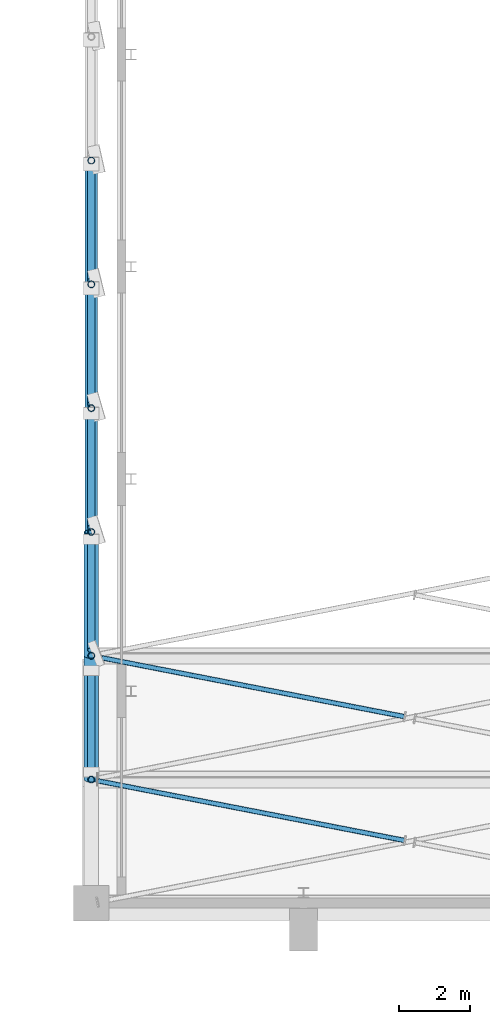
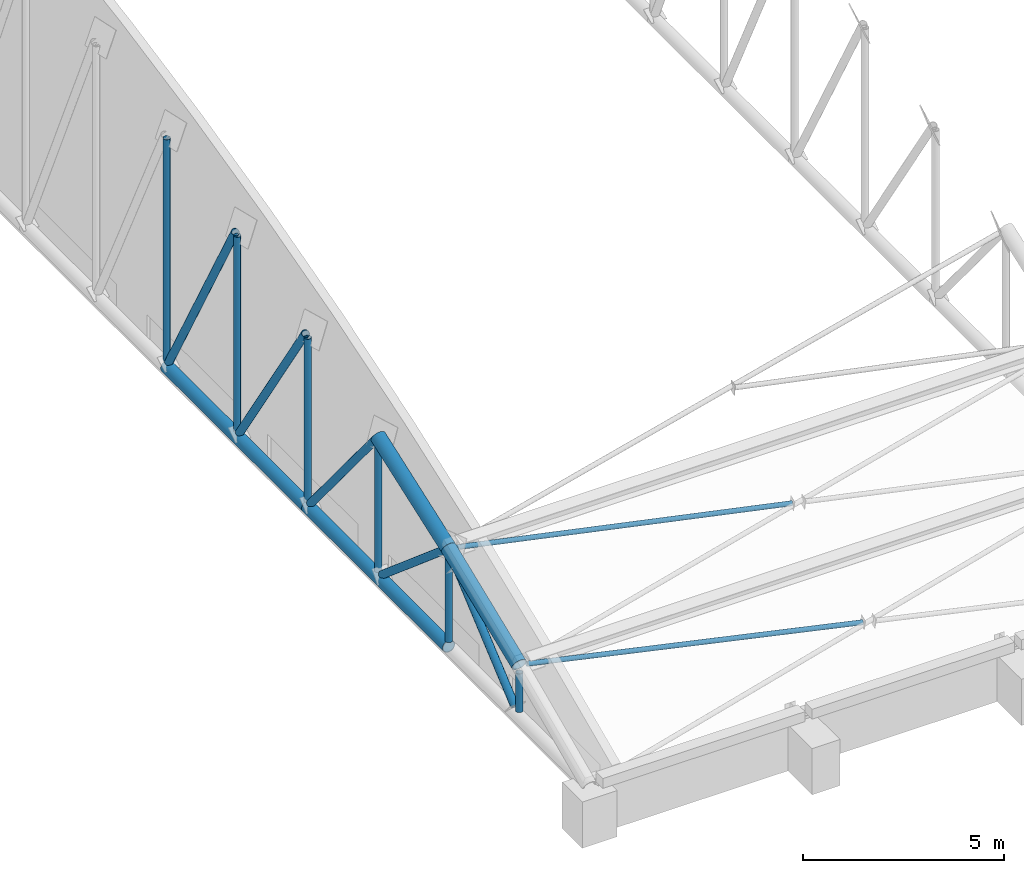
# One storey, part 27 of 196: 17 members.
"""IFC4 building model written with IfcOpenShell, lengths in metres."""

from ifc_helpers import new_model, si_unit, direction, frame, origin, origin_2d, place, context, subcontext, project, spatial, hollow_circle, extrude, material, material_profile, profile_set, type_object, element, save


model = new_model("IFC4")

# Units and contexts
model_context = context("Model", 3, precision=1e-05, world=origin(), true_north=direction((0.0, 1.0)))
body_context = subcontext(model_context, "Body", "Model", "MODEL_VIEW")
ifc_project = project(units=[si_unit("LENGTHUNIT", "METRE"), si_unit("AREAUNIT", "SQUARE_METRE"), si_unit("VOLUMEUNIT", "CUBIC_METRE"), si_unit("PLANEANGLEUNIT", "RADIAN"), si_unit("MASSUNIT", "GRAM", prefix="KILO")], contexts=[model_context])

# Site, building, storey
site_placement = place(None, origin())
site = spatial("IfcSite", under=ifc_project, at=site_placement, CompositionType="ELEMENT")
building_placement = place(site_placement, origin())
building = spatial("IfcBuilding", under=site, at=building_placement, Name="Okhra Congress Centre", CompositionType="ELEMENT")
storey_placement = place(building_placement, frame((0.0, 0.0, 12.0)))
storey = spatial("IfcBuildingStorey", under=building, at=storey_placement, Name="L02", CompositionType="ELEMENT", Elevation=12.0)

# Members
ifc_material = material(Name="Steel S355J2H", Category="steel")
ifc_material_profile_1 = material_profile(ifc_material, hollow_circle(Radius=0.06982421875, WallThickness=0.00634765625, at=origin_2d()), Name="CHS 139.7x6.3")
ifc_profile_set_1 = profile_set([ifc_material_profile_1], Name="Steel S355J2H")
member_type_1 = type_object("IfcMemberType", Name="CHS 139.7x6.3", PredefinedType="BRACE", material=ifc_profile_set_1)
member_1_placement = place(storey_placement, frame((36.85009765625, 133.779052734375, 2.196533203125), z_axis=(-0.978051270157, 0.190181228948, 0.085128215653), x_axis=(-0.190874100976, -0.98161452596, 0.0)))
element("IfcMember", 1, at=member_1_placement, inside=storey, type_object=member_type_1, Name="EH.MEM.L02.XB1-01-2b", PredefinedType="BRACE", context=body_context, shape_type="SweptSolid", body=[
    extrude(hollow_circle(Radius=0.06982421875, WallThickness=0.00634765625, at=origin_2d()), origin(), (0.0, 0.0, 1.0), 8.85888671875),
])
member_2_placement = place(storey_placement, frame((36.847412109375, 137.27978515625, 3.682373046875), z_axis=(-0.97874056041, 0.19029150725, 0.076524882736), x_axis=(-0.190851145429, -0.981618989368, 0.0)))
element("IfcMember", 2, at=member_2_placement, inside=storey, type_object=member_type_1, Name="EH.MEM.L02.XB1-02-2b", PredefinedType="BRACE", context=body_context, shape_type="SweptSolid", body=[
    extrude(hollow_circle(Radius=0.06982421875, WallThickness=0.00634765625, at=origin_2d()), origin(), (0.0, 0.0, 1.0), 8.85009765625),
])
ifc_material_profile_2 = material_profile(ifc_material, hollow_circle(Radius=0.096923828125, WallThickness=0.012451171875, at=origin_2d()), Name="CHS 193.7x12.5")
ifc_profile_set_2 = profile_set([ifc_material_profile_2], Name="Steel S355J2H")
member_type_2 = type_object("IfcMemberType", Name="CHS 193.7x12.5", PredefinedType="POST", material=ifc_profile_set_2)
member_3_placement = place(storey_placement, frame((28.0, 135.5, 1.577880859375), z_axis=(0.0, 0.0, 1.0), x_axis=(1.0, 0.0, 0.0)))
element("IfcMember", 3, at=member_3_placement, inside=storey, type_object=member_type_2, Name="EH.MEM.L02.T1-VER-01", PredefinedType="POST", context=body_context, shape_type="SweptSolid", body=[
    extrude(hollow_circle(Radius=0.096923828125, WallThickness=0.012451171875, at=origin_2d()), origin(), (0.0, 0.0, 1.0), 1.168212890625),
])
member_4_placement = place(storey_placement, frame((28.0, 139.0, 1.577880859375), z_axis=(0.0, 0.0, 1.0), x_axis=(1.0, 0.0, 0.0)))
element("IfcMember", 4, at=member_4_placement, inside=storey, type_object=member_type_2, Name="EH.MEM.L02.T1-VER-02", PredefinedType="POST", context=body_context, shape_type="SweptSolid", body=[
    extrude(hollow_circle(Radius=0.096923828125, WallThickness=0.012451171875, at=origin_2d()), origin(), (0.0, 0.0, 1.0), 2.578857421875),
])
member_5_placement = place(storey_placement, frame((28.0, 142.5, 1.577880859375), z_axis=(0.0, 0.0, 1.0), x_axis=(1.0, 0.0, 0.0)))
element("IfcMember", 5, at=member_5_placement, inside=storey, type_object=member_type_2, Name="EH.MEM.L02.T1-VER-03", PredefinedType="POST", context=body_context, shape_type="SweptSolid", body=[
    extrude(hollow_circle(Radius=0.096923828125, WallThickness=0.012451171875, at=origin_2d()), origin(), (0.0, 0.0, 1.0), 3.836669921875),
])
member_6_placement = place(storey_placement, frame((28.0, 146.0, 1.577880859375), z_axis=(0.0, 0.0, 1.0), x_axis=(1.0, 0.0, 0.0)))
element("IfcMember", 6, at=member_6_placement, inside=storey, type_object=member_type_2, Name="EH.MEM.L02.T1-VER-04", PredefinedType="POST", context=body_context, shape_type="SweptSolid", body=[
    extrude(hollow_circle(Radius=0.096923828125, WallThickness=0.012451171875, at=origin_2d()), origin(), (0.0, 0.0, 1.0), 4.947998046875),
])
ifc_material_profile_3 = material_profile(ifc_material, hollow_circle(Radius=0.096923828125, WallThickness=0.008056640625, at=origin_2d()), Name="CHS 193.7x8.0")
ifc_profile_set_3 = profile_set([ifc_material_profile_3], Name="Steel S355J2H")
member_type_3 = type_object("IfcMemberType", Name="CHS 193.7x8.0", PredefinedType="POST", material=ifc_profile_set_3)
member_7_placement = place(storey_placement, frame((28.0, 149.5, 1.577880859375), z_axis=(0.0, 0.0, 1.0), x_axis=(1.0, 0.0, 0.0)))
element("IfcMember", 7, at=member_7_placement, inside=storey, type_object=member_type_3, Name="EH.MEM.L02.T1-VER-05", PredefinedType="POST", context=body_context, shape_type="SweptSolid", body=[
    extrude(hollow_circle(Radius=0.096923828125, WallThickness=0.008056640625, at=origin_2d()), origin(), (0.0, 0.0, 1.0), 5.917724609375),
])
member_8_placement = place(storey_placement, frame((28.0, 153.0, 1.577880859375), z_axis=(0.0, 0.0, 1.0), x_axis=(1.0, 0.0, 0.0)))
element("IfcMember", 8, at=member_8_placement, inside=storey, type_object=member_type_3, Name="EH.MEM.L02.T1-VER-06", PredefinedType="POST", context=body_context, shape_type="SweptSolid", body=[
    extrude(hollow_circle(Radius=0.096923828125, WallThickness=0.008056640625, at=origin_2d()), origin(), (0.0, 0.0, 1.0), 6.750244140625),
])
ifc_material_profile_4 = material_profile(ifc_material, hollow_circle(Radius=0.109619140625, WallThickness=0.010009765625, at=origin_2d()), Name="CHS 219.1x10.0")
ifc_profile_set_4 = profile_set([ifc_material_profile_4], Name="Steel S355J2H")
member_type_4 = type_object("IfcMemberType", Name="CHS 219.1x10.0", PredefinedType="BRACE", material=ifc_profile_set_4)
member_9_placement = place(storey_placement, frame((28.0, 149.5927734375, 7.538330078125), z_axis=(0.0, 0.485332749729, -0.874329527147), x_axis=(-1.0, 0.0, 0.0)))
element("IfcMember", 9, at=member_9_placement, inside=storey, type_object=member_type_4, Name="EH.MEM.L02.T1-DIA-05", PredefinedType="BRACE", context=body_context, shape_type="SweptSolid", body=[
    extrude(hollow_circle(Radius=0.109619140625, WallThickness=0.010009765625, at=origin_2d()), origin(), (0.0, 0.0, 1.0), 6.817138671875),
])
ifc_material_profile_5 = material_profile(ifc_material, hollow_circle(Radius=0.109619140625, WallThickness=0.012451171875, at=origin_2d()), Name="CHS 219.1x12.5")
ifc_profile_set_5 = profile_set([ifc_material_profile_5], Name="Steel S355J2H")
member_type_5 = type_object("IfcMemberType", Name="CHS 219.1x12.5", PredefinedType="BRACE", material=ifc_profile_set_5)
member_10_placement = place(storey_placement, frame((28.0, 138.57421875, 4.01220703125), z_axis=(0.0, -0.76205947483, -0.647507032257), x_axis=(1.0, 0.0, 0.0)))
element("IfcMember", 10, at=member_10_placement, inside=storey, type_object=member_type_5, Name="EH.MEM.L02.T1-DIA-01", PredefinedType="BRACE", context=body_context, shape_type="SweptSolid", body=[
    extrude(hollow_circle(Radius=0.109619140625, WallThickness=0.012451171875, at=origin_2d()), origin(), (0.0, 0.0, 1.0), 3.759521484375),
])
member_11_placement = place(storey_placement, frame((28.0, 139.1611328125, 4.237060546875), z_axis=(0.0, 0.762061047132, -0.64750518179), x_axis=(-1.0, 0.0, 0.0)))
element("IfcMember", 11, at=member_11_placement, inside=storey, type_object=member_type_5, Name="EH.MEM.L02.T1-DIA-02", PredefinedType="BRACE", context=body_context, shape_type="SweptSolid", body=[
    extrude(hollow_circle(Radius=0.109619140625, WallThickness=0.012451171875, at=origin_2d()), origin(), (0.0, 0.0, 1.0), 4.106689453125),
])
member_12_placement = place(storey_placement, frame((28.0, 142.626220703125, 5.476318359375), z_axis=(0.0, 0.637599309049, -0.770368172435), x_axis=(-1.0, 0.0, 0.0)))
element("IfcMember", 12, at=member_12_placement, inside=storey, type_object=member_type_5, Name="EH.MEM.L02.T1-DIA-03", PredefinedType="BRACE", context=body_context, shape_type="SweptSolid", body=[
    extrude(hollow_circle(Radius=0.109619140625, WallThickness=0.012451171875, at=origin_2d()), origin(), (0.0, 0.0, 1.0), 5.060546875),
])
member_13_placement = place(storey_placement, frame((28.0, 146.10595703125, 6.576416015625), z_axis=(0.0, 0.548312008951, -0.836273843211), x_axis=(-1.0, 0.0, 0.0)))
element("IfcMember", 13, at=member_13_placement, inside=storey, type_object=member_type_5, Name="EH.MEM.L02.T1-DIA-04", PredefinedType="BRACE", context=body_context, shape_type="SweptSolid", body=[
    extrude(hollow_circle(Radius=0.109619140625, WallThickness=0.012451171875, at=origin_2d()), origin(), (0.0, 0.0, 1.0), 5.97705078125),
])
ifc_material_profile_6 = material_profile(ifc_material, hollow_circle(Radius=0.177734375, WallThickness=0.01611328125, at=origin_2d()), Name="CHS 355.6x16.0")
ifc_profile_set_6 = profile_set([ifc_material_profile_6], Name="Steel S355J2H")
member_type_6 = type_object("IfcMemberType", Name="CHS 355.6x16.0", PredefinedType="CHORD", material=ifc_profile_set_6)
for number, where, z_axis, x_axis, name in (
    (14, (28.0, 139.0, 1.39990234375), (0.0, 1.0, 0.0), (-1.0, 0.0, 0.0), "EH.MEM.L02.T1-BOT-02"),
    (15, (28.0, 146.0, 1.39990234375), (0.0, 1.0, 0.0), (-1.0, 0.0, 0.0), "EH.MEM.L02.T1-BOT-03"),
):
    element("IfcMember", number, at=place(storey_placement, frame(where, z_axis=z_axis, x_axis=x_axis)), inside=storey, type_object=member_type_6, Name=name, PredefinedType="CHORD", context=body_context, shape_type="SweptSolid", body=[
        extrude(hollow_circle(Radius=0.177734375, WallThickness=0.01611328125, at=origin_2d()), origin(), (0.0, 0.0, 1.0), 7.0),
    ])
ifc_material_profile_7 = material_profile(ifc_material, hollow_circle(Radius=0.203125, WallThickness=0.02490234375, at=origin_2d()), Name="CHS 406.4x25.0")
ifc_profile_set_7 = profile_set([ifc_material_profile_7], Name="Steel S355J2H")
member_type_7 = type_object("IfcMemberType", Name="CHS 406.4x25.0", PredefinedType="CHORD", material=ifc_profile_set_7)
member_14_placement = place(storey_placement, frame((28.0, 135.5, 2.966796875), z_axis=(0.0, 0.927814639871, 0.373041544658), x_axis=(-1.0, 0.0, 0.0)))
element("IfcMember", 16, at=member_14_placement, inside=storey, type_object=member_type_7, Name="EH.MEM.L02.T1-TOP-02", PredefinedType="CHORD", context=body_context, shape_type="SweptSolid", body=[
    extrude(hollow_circle(Radius=0.203125, WallThickness=0.02490234375, at=origin_2d()), origin(), (0.0, 0.0, 1.0), 3.772216796875),
])
member_15_placement = place(storey_placement, frame((28.0, 139.0, 4.3740234375), z_axis=(0.0, 0.941304373418, 0.337558997192), x_axis=(-1.0, 0.0, 0.0)))
element("IfcMember", 17, at=member_15_placement, inside=storey, type_object=member_type_7, Name="EH.MEM.L02.T1-TOP-03", PredefinedType="CHORD", context=body_context, shape_type="SweptSolid", body=[
    extrude(hollow_circle(Radius=0.203125, WallThickness=0.02490234375, at=origin_2d()), origin(), (0.0, 0.0, 1.0), 3.71826171875),
])

save(model, "model.ifc")
